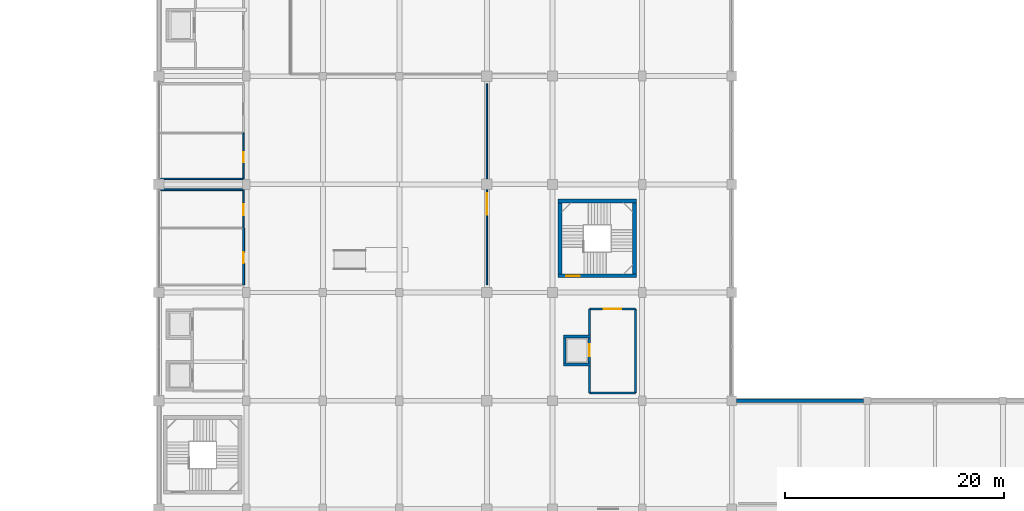
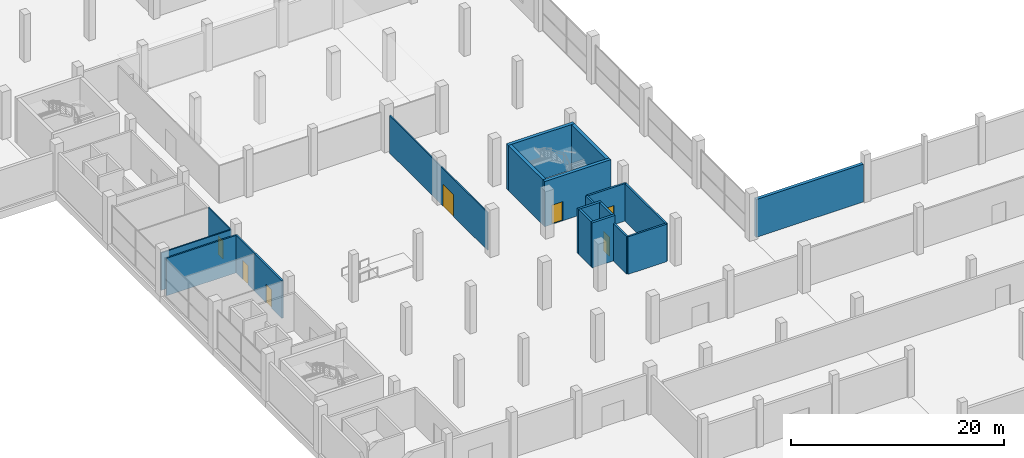
# One storey, part 21 of 50: 20 walls, 7 doors, 7 openings.
"""IFC4 building model written with IfcOpenShell, lengths in metres."""

from ifc_helpers import new_model, si_unit, direction, frame, frame_2d, origin, place, context, subcontext, project, spatial, rectangle, extrude, material, layer, layer_set, type_object, element, fill, save


model = new_model("IFC4")

# Units and contexts
model_context = context("Model", 3, precision=1e-05, world=origin(), true_north=direction((0.0, 1.0)))
body_context = subcontext(model_context, "Body", "Model", "MODEL_VIEW")
ifc_project = project(units=[si_unit("LENGTHUNIT", "METRE"), si_unit("AREAUNIT", "SQUARE_METRE"), si_unit("VOLUMEUNIT", "CUBIC_METRE"), si_unit("PLANEANGLEUNIT", "RADIAN"), si_unit("MASSUNIT", "GRAM", prefix="KILO")], contexts=[model_context])

# Site, building, storey
site_placement = place(None, origin())
site = spatial("IfcSite", under=ifc_project, at=site_placement, CompositionType="ELEMENT")
building_placement = place(site_placement, origin())
building = spatial("IfcBuilding", under=site, at=building_placement, Name="Sillaruma Civic Art Gallery", CompositionType="ELEMENT")
storey_placement = place(building_placement, origin())
storey = spatial("IfcBuildingStorey", under=building, at=storey_placement, Name="L00", CompositionType="ELEMENT", Elevation=0.0)

# Wall, opening, door
ifc_material_1 = material(Name="Concrete H40 (40 MPa)", Category="concrete")
ifc_layer_1 = layer(ifc_material_1, 0.35009765625, Name="Concrete H40 (40 MPa)")
ifc_layer_set_1 = layer_set([ifc_layer_1], Name="Concrete H40 (40 MPa)")
wall_type_1 = type_object("IfcWallType", Name="WAL-CORE-350", PredefinedType="SHEAR", material=ifc_layer_set_1)
wall_1_placement = place(storey_placement, frame((98.510009765625, 51.034912109375, 0.0), z_axis=(0.0, 0.0, 1.0), x_axis=(1.0, 0.0, 0.0)))
wall_1 = element("IfcWall", 1, at=wall_1_placement, inside=storey, type_object=wall_type_1, Name="Stair Core Shear Wall W-CORE-350 (ST-04:L00:S)", PredefinedType="SHEAR", context=body_context, shape_type="SweptSolid", body=[
    extrude(rectangle(XDim=7.179931640625, YDim=0.35009765625, at=frame_2d((3.58984375, 0.0))), origin(), (0.0, 0.0, 1.0), 5.179931640625),
])
opening_1_placement = place(wall_1_placement, frame((0.77001953125, 0.0, 0.0)))
opening_1 = element("IfcOpeningElement", 2, at=opening_1_placement, cuts=wall_1, Name="Opening D-STAIR", PredefinedType="OPENING", context=body_context, shape_type="SweptSolid", body=[
    extrude(rectangle(XDim=1.199951171875, YDim=2.199951171875, at=frame_2d((0.60009765625, 1.10009765625))), frame((0.0, 0.18505859375, 0.0), z_axis=(0.0, -1.0, 0.0), x_axis=(1.0, 0.0, 0.0)), (0.0, 0.0, 1.0), 0.3701171875),
])
ifc_material_2 = material(Name="Galvanised Steel ASTM A653 Gr.50", Category="steel")
door_type_1 = type_object("IfcDoorType", Name="DOR-STAIR-120", OperationType="NOTDEFINED", PredefinedType="DOOR", material=ifc_material_2)
door_1_placement = place(opening_1_placement, frame((1.199951171875, 0.0, 0.0), z_axis=(0.0, 0.0, 1.0), x_axis=(-1.0, 0.0, 0.0)))
door_1 = element("IfcDoor", 3, at=door_1_placement, inside=storey, type_object=door_type_1, Name="Protected Stair Fire Door (ST-04:L00)", OperationType="SINGLE_SWING_RIGHT", OverallHeight=2.199951171875, OverallWidth=1.199951171875, PredefinedType="DOOR", context=body_context, shape_type="SweptSolid", body=[
    extrude(rectangle(XDim=1.199951171875, YDim=2.199951171875, at=frame_2d((0.60009765625, 1.10009765625))), frame((0.0, 0.02490234375, 0.0), z_axis=(0.0, -1.0, 0.0), x_axis=(1.0, 0.0, 0.0)), (0.0, 0.0, 1.0), 0.050048828125),
])
fill(opening_1, door_1)

# Walls
wall_2_placement = place(storey_placement, frame((98.510009765625, 57.864990234375, 0.0), z_axis=(0.0, 0.0, 1.0), x_axis=(1.0, 0.0, 0.0)))
element("IfcWall", 4, at=wall_2_placement, inside=storey, type_object=wall_type_1, Name="Stair Core Shear Wall W-CORE-350 (ST-04:L00:N)", PredefinedType="SHEAR", context=body_context, shape_type="SweptSolid", body=[
    extrude(rectangle(XDim=7.179931640625, YDim=0.35009765625, at=frame_2d((3.58984375, 0.0))), origin(), (0.0, 0.0, 1.0), 5.179931640625),
])
for number, where, z_axis, x_axis, name in (
    (5, (98.68505859375, 51.2099609375, 0.0), (0.0, 0.0, 1.0), (0.0, 1.0, 0.0), "Stair Core Shear Wall W-CORE-350 (ST-04:L00:W)"),
    (6, (105.514892578125, 51.2099609375, 0.0), (0.0, 0.0, 1.0), (0.0, 1.0, 0.0), "Stair Core Shear Wall W-CORE-350 (ST-04:L00:E)"),
):
    element("IfcWall", number, at=place(storey_placement, frame(where, z_axis=z_axis, x_axis=x_axis)), inside=storey, type_object=wall_type_1, Name=name, PredefinedType="SHEAR", context=body_context, shape_type="SweptSolid", body=[
        extrude(rectangle(XDim=6.47998046875, YDim=0.35009765625, at=frame_2d((3.239990234375, 0.0))), origin(), (0.0, 0.0, 1.0), 5.179931640625),
    ])
ifc_layer_2 = layer(ifc_material_1, 0.239990234375, Name="Boundary concrete", Category="concrete")
ifc_material_3 = material(Name="Mineral Wool Thermal Insulation", Category="insulation")
ifc_layer_3 = layer(ifc_material_3, 0.10009765625, Name="Acoustic-thermal liner", Category="insulation")
ifc_layer_set_2 = layer_set([ifc_layer_2, ifc_layer_3], Name="W-EXT-340")
wall_type_2 = type_object("IfcWallType", Name="WAL-EXT-340", PredefinedType="SOLIDWALL", material=ifc_layer_set_2)
wall_3_placement = place(storey_placement, frame((114.85009765625, 39.60009765625, 0.0), z_axis=(0.0, 0.0, 1.0), x_axis=(1.0, 0.0, 0.0)))
element("IfcWall", 7, at=wall_3_placement, inside=storey, type_object=wall_type_2, Name="Exterior Wall W-EXT-340 (EW-L00-EPN-1)", PredefinedType="SOLIDWALL", context=body_context, shape_type="SweptSolid", body=[
    extrude(rectangle(XDim=11.599853515625, YDim=0.340087890625, at=frame_2d((5.7998046875, 0.0))), origin(), (0.0, 0.0, 1.0), 4.330078125),
])
ifc_material_4 = material(Name="Concrete Masonry Unit Grade M15", Category="masonry")
ifc_layer_4 = layer(ifc_material_4, 0.199951171875, Name="Concrete Masonry Unit Grade M15")
ifc_layer_set_3 = layer_set([ifc_layer_4], Name="Concrete Masonry Unit Grade M15")
wall_type_3 = type_object("IfcWallType", Name="WAL-LOBBY-200", PredefinedType="SOLIDWALL", material=ifc_layer_set_3)
wall_4_placement = place(storey_placement, frame((101.39990234375, 40.300048828125, 0.0), z_axis=(0.0, 0.0, 1.0), x_axis=(1.0, 0.0, 0.0)))
element("IfcWall", 8, at=wall_4_placement, inside=storey, type_object=wall_type_3, Name="Interior Wall W-LOBBY-200 (L00-LLE)", PredefinedType="SOLIDWALL", context=body_context, shape_type="SweptSolid", body=[
    extrude(rectangle(XDim=4.2001953125, YDim=0.199951171875, at=frame_2d((2.10009765625, 0.0))), origin(), (0.0, 0.0, 1.0), 4.300048828125),
])
wall_5_placement = place(storey_placement, frame((101.39990234375, 40.300048828125, 0.0), z_axis=(0.0, 0.0, 1.0), x_axis=(0.0, 1.0, 0.0)))
element("IfcWall", 9, at=wall_5_placement, inside=storey, type_object=wall_type_3, Name="Interior Wall W-LOBBY-200 (L00-LLE)", PredefinedType="SOLIDWALL", context=body_context, shape_type="SweptSolid", body=[
    extrude(rectangle(XDim=2.5, YDim=0.199951171875, at=frame_2d((1.25, 0.0))), origin(), (0.0, 0.0, 1.0), 4.300048828125),
])
wall_6_placement = place(storey_placement, frame((101.39990234375, 45.60009765625, 0.0), z_axis=(0.0, 0.0, 1.0), x_axis=(0.0, 1.0, 0.0)))
element("IfcWall", 10, at=wall_6_placement, inside=storey, type_object=wall_type_3, Name="Interior Wall W-LOBBY-200 (L00-LLE)", PredefinedType="SOLIDWALL", context=body_context, shape_type="SweptSolid", body=[
    extrude(rectangle(XDim=2.39990234375, YDim=0.199951171875, at=frame_2d((1.199951171875, 0.0))), origin(), (0.0, 0.0, 1.0), 4.300048828125),
])
wall_7_placement = place(storey_placement, frame((105.60009765625, 40.300048828125, 0.0), z_axis=(0.0, 0.0, 1.0), x_axis=(0.0, 1.0, 0.0)))
element("IfcWall", 11, at=wall_7_placement, inside=storey, type_object=wall_type_3, Name="Interior Wall W-LOBBY-200 (L00-LLE)", PredefinedType="SOLIDWALL", context=body_context, shape_type="SweptSolid", body=[
    extrude(rectangle(XDim=7.699951171875, YDim=0.199951171875, at=frame_2d((3.85009765625, 0.0))), origin(), (0.0, 0.0, 1.0), 4.300048828125),
])

# Wall, opening, door
wall_8_placement = place(storey_placement, frame((101.39990234375, 48.0, 0.0), z_axis=(0.0, 0.0, 1.0), x_axis=(1.0, 0.0, 0.0)))
wall_8 = element("IfcWall", 12, at=wall_8_placement, inside=storey, type_object=wall_type_3, Name="Interior Wall W-LOBBY-200 (L00-LLE)", PredefinedType="SOLIDWALL", context=body_context, shape_type="SweptSolid", body=[
    extrude(rectangle(XDim=4.2001953125, YDim=0.199951171875, at=frame_2d((2.10009765625, 0.0))), origin(), (0.0, 0.0, 1.0), 4.300048828125),
])
opening_2_placement = place(wall_8_placement, frame((1.300048828125, 0.0, 0.0)))
opening_2 = element("IfcOpeningElement", 13, at=opening_2_placement, cuts=wall_8, Name="Opening D-LOBBY", PredefinedType="OPENING", context=body_context, shape_type="SweptSolid", body=[
    extrude(rectangle(XDim=1.60009765625, YDim=2.199951171875, at=frame_2d((0.800048828125, 1.10009765625))), frame((0.0, 0.10986328125, 0.0), z_axis=(0.0, -1.0, 0.0), x_axis=(1.0, 0.0, 0.0)), (0.0, 0.0, 1.0), 0.219970703125),
])
ifc_material_5 = material(Name="Thermally Broken Extruded Aluminium 6063-T6", Category="aluminium")
door_type_2 = type_object("IfcDoorType", Name="DOR-LOBBY-160", OperationType="NOTDEFINED", PredefinedType="DOOR", material=ifc_material_5)
door_2_placement = place(opening_2_placement, origin())
door_2 = element("IfcDoor", 14, at=door_2_placement, inside=storey, type_object=door_type_2, Name="East Lift Lobby Door (D-LOBBY)", OperationType="DOUBLE_DOOR_SINGLE_SWING", OverallHeight=2.199951171875, OverallWidth=1.60009765625, PredefinedType="DOOR", context=body_context, shape_type="SweptSolid", body=[
    extrude(rectangle(XDim=1.60009765625, YDim=2.199951171875, at=frame_2d((0.800048828125, 1.10009765625))), frame((0.0, 0.02490234375, 0.0), z_axis=(0.0, -1.0, 0.0), x_axis=(1.0, 0.0, 0.0)), (0.0, 0.0, 1.0), 0.050048828125),
])
fill(opening_2, door_2)

ifc_material_6 = material(Name="Gypsum Acoustic Board", Category="gypsum")
ifc_layer_5 = layer(ifc_material_6, 0.02490234375, Name="Finish board", Category="gypsum")
ifc_layer_6 = layer(ifc_material_3, 0.070068359375, Name="Acoustic core", Category="insulation")
ifc_material_7 = material(Name="Andean Oak Timber", Category="wood")
ifc_layer_7 = layer(ifc_material_7, 0.02490234375, Name="Gallery lining", Category="wood")
ifc_layer_set_4 = layer_set([ifc_layer_5, ifc_layer_6, ifc_layer_7], Name="W-PT-120")
wall_type_4 = type_object("IfcWallType", Name="WAL-PART-120", PredefinedType="PARTITIONING", material=ifc_layer_set_4)
wall_9_placement = place(storey_placement, frame((69.75, 59.89990234375, 0.0), z_axis=(0.0, 0.0, 1.0), x_axis=(0.0, 1.0, 0.0)))
wall_9 = element("IfcWall", 15, at=wall_9_placement, inside=storey, type_object=wall_type_4, Name="Interior Wall W-PT-120 (L00-CLN)", PredefinedType="PARTITIONING", context=body_context, shape_type="SweptSolid", body=[
    extrude(rectangle(XDim=4.2001953125, YDim=0.1201171875, at=frame_2d((2.10009765625, 0.0))), origin(), (0.0, 0.0, 1.0), 4.300048828125),
])
opening_3_placement = place(wall_9_placement, frame((1.5, 0.0, 0.0)))
opening_3 = element("IfcOpeningElement", 16, at=opening_3_placement, cuts=wall_9, Name="Opening D-SVC09", PredefinedType="OPENING", context=body_context, shape_type="SweptSolid", body=[
    extrude(rectangle(XDim=0.949951171875, YDim=2.10009765625, at=frame_2d((0.47509765625, 1.050048828125))), frame((0.0, 0.070068359375, 0.0), z_axis=(0.0, -1.0, 0.0), x_axis=(1.0, 0.0, 0.0)), (0.0, 0.0, 1.0), 0.14013671875),
])
door_type_3 = type_object("IfcDoorType", Name="DOR-SVC-095", OperationType="NOTDEFINED", PredefinedType="DOOR", material=ifc_material_7)
door_3_placement = place(opening_3_placement, origin())
door_3 = element("IfcDoor", 17, at=door_3_placement, inside=storey, type_object=door_type_3, Name="Cleaner Store Door (D-SVC09)", OperationType="SINGLE_SWING_RIGHT", OverallHeight=2.10009765625, OverallWidth=0.949951171875, PredefinedType="DOOR", context=body_context, shape_type="SweptSolid", body=[
    extrude(rectangle(XDim=0.949951171875, YDim=2.10009765625, at=frame_2d((0.47509765625, 1.050048828125))), frame((0.0, 0.02490234375, 0.0), z_axis=(0.0, -1.0, 0.0), x_axis=(1.0, 0.0, 0.0)), (0.0, 0.0, 1.0), 0.050048828125),
])
fill(opening_3, door_3)

ifc_layer_8 = layer(ifc_material_6, 0.02490234375, Name="Finish board", Category="gypsum")
ifc_layer_9 = layer(ifc_material_3, 0.080078125, Name="Acoustic core", Category="insulation")
ifc_layer_10 = layer(ifc_material_7, 0.02490234375, Name="Gallery lining", Category="wood")
ifc_layer_set_5 = layer_set([ifc_layer_8, ifc_layer_9, ifc_layer_10], Name="W-PT-130")
wall_type_5 = type_object("IfcWallType", Name="WAL-PART-130", PredefinedType="PARTITIONING", material=ifc_layer_set_5)
wall_10_placement = place(storey_placement, frame((92.0, 50.199951171875, 0.0), z_axis=(0.0, 0.0, 1.0), x_axis=(0.0, 1.0, 0.0)))
wall_10 = element("IfcWall", 18, at=wall_10_placement, inside=storey, type_object=wall_type_5, Name="Interior Wall W-PT-130 (L00-SCULP)", PredefinedType="PARTITIONING", context=body_context, shape_type="SweptSolid", body=[
    extrude(rectangle(XDim=18.400146484375, YDim=0.1298828125, at=frame_2d((9.2001953125, 0.0))), origin(), (0.0, 0.0, 1.0), 4.300048828125),
])
opening_4_placement = place(wall_10_placement, frame((6.39990234375, 0.0, 0.0)))
opening_4 = element("IfcOpeningElement", 19, at=opening_4_placement, cuts=wall_10, Name="Opening D-GAL20", PredefinedType="OPENING", context=body_context, shape_type="SweptSolid", body=[
    extrude(rectangle(XDim=2.0, YDim=2.5, at=frame_2d((1.0, 1.25))), frame((0.0, 0.074951171875, 0.0), z_axis=(0.0, -1.0, 0.0), x_axis=(1.0, 0.0, 0.0)), (0.0, 0.0, 1.0), 0.14990234375),
])
door_type_4 = type_object("IfcDoorType", Name="DOR-GAL-200", OperationType="NOTDEFINED", PredefinedType="DOOR", material=ifc_material_7)
door_4_placement = place(opening_4_placement, origin())
door_4 = element("IfcDoor", 20, at=door_4_placement, inside=storey, type_object=door_type_4, Name="Sculpture Court Door (D-GAL20)", OperationType="DOUBLE_DOOR_SINGLE_SWING", OverallHeight=2.5, OverallWidth=2.0, PredefinedType="DOOR", context=body_context, shape_type="SweptSolid", body=[
    extrude(rectangle(XDim=2.0, YDim=2.5, at=frame_2d((1.0, 1.25))), frame((0.0, 0.02490234375, 0.0), z_axis=(0.0, -1.0, 0.0), x_axis=(1.0, 0.0, 0.0)), (0.0, 0.0, 1.0), 0.050048828125),
])
fill(opening_4, door_4)

# Wall
ifc_layer_11 = layer(ifc_material_6, 0.02490234375, Name="Finish board", Category="gypsum")
ifc_layer_12 = layer(ifc_material_3, 0.090087890625, Name="Acoustic core", Category="insulation")
ifc_layer_13 = layer(ifc_material_7, 0.02490234375, Name="Gallery lining", Category="wood")
ifc_layer_set_6 = layer_set([ifc_layer_11, ifc_layer_12, ifc_layer_13], Name="W-PT-140")
wall_type_6 = type_object("IfcWallType", Name="WAL-PART-140", PredefinedType="PARTITIONING", material=ifc_layer_set_6)
wall_11_placement = place(storey_placement, frame((62.14990234375, 59.89990234375, 0.0), z_axis=(0.0, 0.0, 1.0), x_axis=(1.0, 0.0, 0.0)))
element("IfcWall", 21, at=wall_11_placement, inside=storey, type_object=wall_type_6, Name="Interior Wall W-PT-140 (L00-CLN)", PredefinedType="PARTITIONING", context=body_context, shape_type="SweptSolid", body=[
    extrude(rectangle(XDim=7.60009765625, YDim=0.139892578125, at=frame_2d((3.800048828125, 0.0))), origin(), (0.0, 0.0, 1.0), 4.300048828125),
])

# Wall, opening, door
ifc_layer_14 = layer(ifc_material_6, 0.02490234375, Name="Finish board", Category="gypsum")
ifc_layer_15 = layer(ifc_material_3, 0.10009765625, Name="Acoustic core", Category="insulation")
ifc_layer_16 = layer(ifc_material_7, 0.02490234375, Name="Gallery lining", Category="wood")
ifc_layer_set_7 = layer_set([ifc_layer_14, ifc_layer_15, ifc_layer_16], Name="W-PT-150")
wall_type_7 = type_object("IfcWallType", Name="WAL-PART-150", PredefinedType="PARTITIONING", material=ifc_layer_set_7)
wall_12_placement = place(storey_placement, frame((69.75, 55.39990234375, 0.0), z_axis=(0.0, 0.0, 1.0), x_axis=(0.0, 1.0, 0.0)))
wall_12 = element("IfcWall", 22, at=wall_12_placement, inside=storey, type_object=wall_type_7, Name="Interior Wall W-PT-150 (L00-WCA)", PredefinedType="PARTITIONING", context=body_context, shape_type="SweptSolid", body=[
    extrude(rectangle(XDim=3.5, YDim=0.14990234375, at=frame_2d((1.75, 0.0))), origin(), (0.0, 0.0, 1.0), 4.300048828125),
])
opening_5_placement = place(wall_12_placement, frame((1.14990234375, 0.0, 0.0)))
opening_5 = element("IfcOpeningElement", 23, at=opening_5_placement, cuts=wall_12, Name="Opening D-AWC10", PredefinedType="OPENING", context=body_context, shape_type="SweptSolid", body=[
    extrude(rectangle(XDim=1.050048828125, YDim=2.14990234375, at=frame_2d((0.52490234375, 1.074951171875))), frame((0.0, 0.0849609375, 0.0), z_axis=(0.0, -1.0, 0.0), x_axis=(1.0, 0.0, 0.0)), (0.0, 0.0, 1.0), 0.169921875),
])
door_type_5 = type_object("IfcDoorType", Name="DOR-AWC-105", OperationType="NOTDEFINED", PredefinedType="DOOR", material=ifc_material_7)
door_5_placement = place(opening_5_placement, origin())
door_5 = element("IfcDoor", 24, at=door_5_placement, inside=storey, type_object=door_type_5, Name="Accessible WC Door (D-AWC10)", OperationType="SINGLE_SWING_LEFT", OverallHeight=2.14990234375, OverallWidth=1.050048828125, PredefinedType="DOOR", context=body_context, shape_type="SweptSolid", body=[
    extrude(rectangle(XDim=1.050048828125, YDim=2.14990234375, at=frame_2d((0.52490234375, 1.074951171875))), frame((0.0, 0.02490234375, 0.0), z_axis=(0.0, -1.0, 0.0), x_axis=(1.0, 0.0, 0.0)), (0.0, 0.0, 1.0), 0.050048828125),
])
fill(opening_5, door_5)

# Wall
ifc_layer_17 = layer(ifc_material_6, 0.02490234375, Name="Finish board", Category="gypsum")
ifc_layer_18 = layer(ifc_material_3, 0.114990234375, Name="Acoustic core", Category="insulation")
ifc_layer_19 = layer(ifc_material_7, 0.02490234375, Name="Gallery lining", Category="wood")
ifc_layer_set_8 = layer_set([ifc_layer_17, ifc_layer_18, ifc_layer_19], Name="W-PT-165")
wall_type_8 = type_object("IfcWallType", Name="WAL-PART-165", PredefinedType="PARTITIONING", material=ifc_layer_set_8)
wall_13_placement = place(storey_placement, frame((62.14990234375, 58.89990234375, 0.0), z_axis=(0.0, 0.0, 1.0), x_axis=(1.0, 0.0, 0.0)))
element("IfcWall", 25, at=wall_13_placement, inside=storey, type_object=wall_type_8, Name="Interior Wall W-PT-165 (L00-WCA)", PredefinedType="PARTITIONING", context=body_context, shape_type="SweptSolid", body=[
    extrude(rectangle(XDim=7.60009765625, YDim=0.1650390625, at=frame_2d((3.800048828125, 0.0))), origin(), (0.0, 0.0, 1.0), 4.300048828125),
])

# Wall, opening, door
ifc_layer_20 = layer(ifc_material_6, 0.02490234375, Name="Finish board", Category="gypsum")
ifc_layer_21 = layer(ifc_material_3, 0.1298828125, Name="Acoustic core", Category="insulation")
ifc_layer_22 = layer(ifc_material_7, 0.02490234375, Name="Gallery lining", Category="wood")
ifc_layer_set_9 = layer_set([ifc_layer_20, ifc_layer_21, ifc_layer_22], Name="W-PT-180")
wall_type_9 = type_object("IfcWallType", Name="WAL-PART-180", PredefinedType="PARTITIONING", material=ifc_layer_set_9)
wall_14_placement = place(storey_placement, frame((69.75, 50.199951171875, 0.0), z_axis=(0.0, 0.0, 1.0), x_axis=(0.0, 1.0, 0.0)))
wall_14 = element("IfcWall", 26, at=wall_14_placement, inside=storey, type_object=wall_type_9, Name="Interior Wall W-PT-180 (L00-WC1)", PredefinedType="PARTITIONING", context=body_context, shape_type="SweptSolid", body=[
    extrude(rectangle(XDim=5.199951171875, YDim=0.179931640625, at=frame_2d((2.60009765625, 0.0))), origin(), (0.0, 0.0, 1.0), 4.300048828125),
])
opening_6_placement = place(wall_14_placement, frame((2.0, 0.0, 0.0)))
opening_6 = element("IfcOpeningElement", 27, at=opening_6_placement, cuts=wall_14, Name="Opening D-WC10", PredefinedType="OPENING", context=body_context, shape_type="SweptSolid", body=[
    extrude(rectangle(XDim=1.0, YDim=2.10009765625, at=frame_2d((0.5, 1.050048828125))), frame((0.0, 0.099853515625, 0.0), z_axis=(0.0, -1.0, 0.0), x_axis=(1.0, 0.0, 0.0)), (0.0, 0.0, 1.0), 0.199951171875),
])
door_type_6 = type_object("IfcDoorType", Name="DOR-WC-100", OperationType="NOTDEFINED", PredefinedType="DOOR", material=ifc_material_7)
door_6_placement = place(opening_6_placement, origin())
door_6 = element("IfcDoor", 28, at=door_6_placement, inside=storey, type_object=door_type_6, Name="Public WC Door (D-WC10)", OperationType="SINGLE_SWING_RIGHT", OverallHeight=2.10009765625, OverallWidth=1.0, PredefinedType="DOOR", context=body_context, shape_type="SweptSolid", body=[
    extrude(rectangle(XDim=1.0, YDim=2.10009765625, at=frame_2d((0.5, 1.050048828125))), frame((0.0, 0.02490234375, 0.0), z_axis=(0.0, -1.0, 0.0), x_axis=(1.0, 0.0, 0.0)), (0.0, 0.0, 1.0), 0.050048828125),
])
fill(opening_6, door_6)

# Walls
ifc_layer_23 = layer(ifc_material_1, 0.25, Name="Concrete H40 (40 MPa)")
ifc_layer_set_10 = layer_set([ifc_layer_23], Name="Concrete H40 (40 MPa)")
wall_type_10 = type_object("IfcWallType", Name="WAL-SHAFT-250", PredefinedType="SOLIDWALL", material=ifc_layer_set_10)
for number, where, z_axis, x_axis, name in (
    (29, (99.0, 42.925048828125, 0.0), (0.0, 0.0, 1.0), (1.0, 0.0, 0.0), "Lift Shaft Wall W-SHAFT-250 (PL-03:L00:S)"),
    (30, (99.0, 45.47509765625, 0.0), (0.0, 0.0, 1.0), (1.0, 0.0, 0.0), "Lift Shaft Wall W-SHAFT-250 (PL-03:L00:N)"),
):
    element("IfcWall", number, at=place(storey_placement, frame(where, z_axis=z_axis, x_axis=x_axis)), inside=storey, type_object=wall_type_10, Name=name, PredefinedType="SOLIDWALL", context=body_context, shape_type="SweptSolid", body=[
        extrude(rectangle(XDim=2.5, YDim=0.25, at=frame_2d((1.25, 0.0))), origin(), (0.0, 0.0, 1.0), 5.159912109375),
    ])
wall_15_placement = place(storey_placement, frame((99.125, 43.050048828125, 0.0), z_axis=(0.0, 0.0, 1.0), x_axis=(0.0, 1.0, 0.0)))
element("IfcWall", 31, at=wall_15_placement, inside=storey, type_object=wall_type_10, Name="Lift Shaft Wall W-SHAFT-250 (PL-03:L00:W)", PredefinedType="SOLIDWALL", context=body_context, shape_type="SweptSolid", body=[
    extrude(rectangle(XDim=2.300048828125, YDim=0.25, at=frame_2d((1.14990234375, 0.0))), origin(), (0.0, 0.0, 1.0), 5.159912109375),
])

# Wall, opening, door
wall_16_placement = place(storey_placement, frame((101.375, 43.050048828125, 0.0), z_axis=(0.0, 0.0, 1.0), x_axis=(0.0, 1.0, 0.0)))
wall_16 = element("IfcWall", 32, at=wall_16_placement, inside=storey, type_object=wall_type_10, Name="Lift Shaft Wall W-SHAFT-250 (PL-03:L00:E)", PredefinedType="SOLIDWALL", context=body_context, shape_type="SweptSolid", body=[
    extrude(rectangle(XDim=2.300048828125, YDim=0.25, at=frame_2d((1.14990234375, 0.0))), origin(), (0.0, 0.0, 1.0), 5.159912109375),
])
opening_7_placement = place(wall_16_placement, frame((0.60009765625, 0.0, 0.0)))
opening_7 = element("IfcOpeningElement", 33, at=opening_7_placement, cuts=wall_16, Name="Opening LD-01", PredefinedType="OPENING", context=body_context, shape_type="SweptSolid", body=[
    extrude(rectangle(XDim=1.10009765625, YDim=2.199951171875, at=frame_2d((0.550048828125, 1.10009765625))), frame((0.0, 0.135009765625, 0.0), z_axis=(0.0, -1.0, 0.0), x_axis=(1.0, 0.0, 0.0)), (0.0, 0.0, 1.0), 0.27001953125),
])
door_type_7 = type_object("IfcDoorType", Name="DOR-LD-01", OperationType="NOTDEFINED", PredefinedType="DOOR", material=ifc_material_2)
door_7_placement = place(opening_7_placement, origin())
door_7 = element("IfcDoor", 34, at=door_7_placement, inside=storey, type_object=door_type_7, Name="Lift Sliding Landing Door LD-01 (PL-03:L00)", OperationType="DOUBLE_DOOR_SLIDING", OverallHeight=2.199951171875, OverallWidth=1.10009765625, PredefinedType="DOOR", context=body_context, shape_type="SweptSolid", body=[
    extrude(rectangle(XDim=1.10009765625, YDim=2.199951171875, at=frame_2d((0.550048828125, 1.10009765625))), frame((0.0, 0.02490234375, 0.0), z_axis=(0.0, -1.0, 0.0), x_axis=(1.0, 0.0, 0.0)), (0.0, 0.0, 1.0), 0.050048828125),
])
fill(opening_7, door_7)

save(model, "model.ifc")
